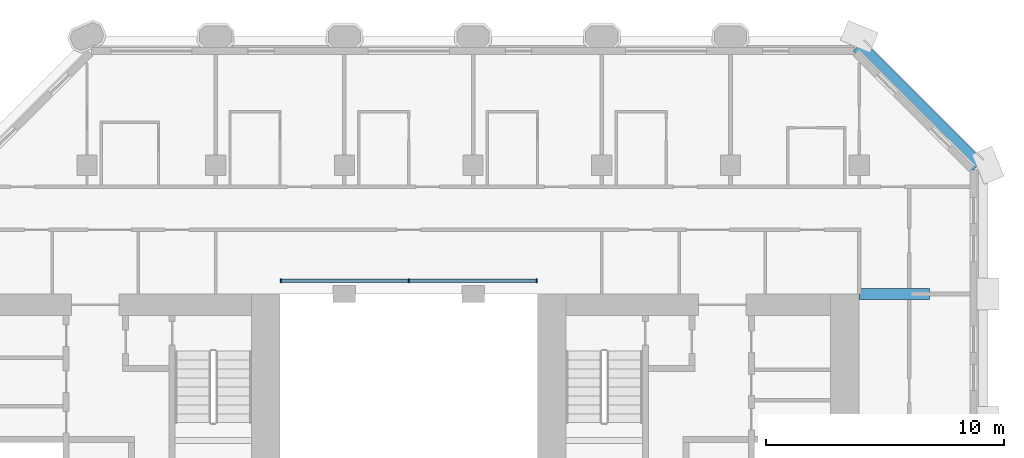
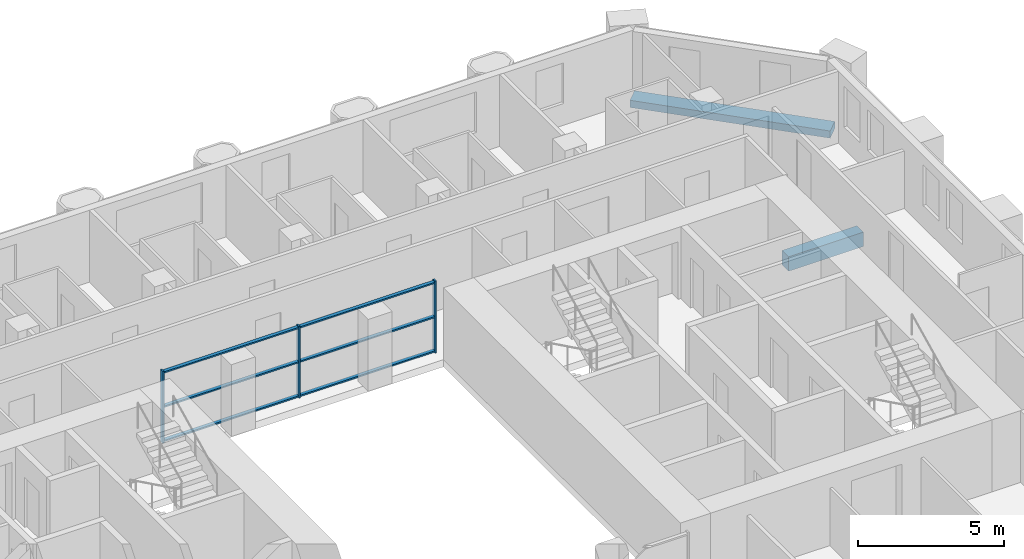
# One storey, part 6 of 16: 9 members, 2 beams, 1 element without a shape of its own.
"""IFC4 building model written with IfcOpenShell, lengths in metres."""

import ifcopenshell
import ifcopenshell.guid

model = None  # the IFC model being written
_history = None  # IfcOwnerHistory: only IFC2X3 demands one
_inside = {}  # id of a spatial element -> (the spatial element, [elements in it])
_under = {}  # id of a project, library or spatial element -> (it, [spatial elements below it])
_declared = {}  # id of a project -> (the project, [libraries it declares])
_typed = {}  # id of a type object -> (the type object, [elements of that type])
_made_of = {}  # id of a material, layer set ... -> (it, [elements and type objects made of it])


def new_model(schema):
    """Start an empty IFC model of exactly this schema.

    Asked for "IFC4X3", IfcOpenShell would pick the latest addendum, in which some entities
    have other attributes; the version numbers below select the first issue.
    IFC2X3 requires an IfcOwnerHistory on every rooted entity: one is made here for all.
    """
    global model, _history
    if schema == "IFC4X3":
        model = ifcopenshell.file(schema_version=(4, 3, 0, 0))
    else:
        model = ifcopenshell.file(schema=schema)
    _inside.clear()
    _under.clear()
    _declared.clear()
    _typed.clear()
    _made_of.clear()
    _history = None
    if model.schema == "IFC2X3":
        org = make("IfcOrganization", Name="unknown")
        user = make(
            "IfcPersonAndOrganization",
            ThePerson=make("IfcPerson", FamilyName="unknown"),
            TheOrganization=org,
        )
        app = make(
            "IfcApplication",
            ApplicationDeveloper=org,
            Version="unknown",
            ApplicationFullName="unknown",
            ApplicationIdentifier="unknown",
        )
        _history = make(
            "IfcOwnerHistory",
            OwningUser=user,
            OwningApplication=app,
            ChangeAction="ADDED",
            CreationDate=0,
        )
    return model


def make(cls, **values):
    """One entity of the class cls with the attributes given. An attribute that is None is left unset."""
    return model.create_entity(
        cls, **{name: value for name, value in values.items() if value is not None}
    )


def rooted(cls, **values):
    """An entity with a GlobalId (a new one), such as an element, a storey or a relation."""
    return make(cls, GlobalId=ifcopenshell.guid.new(), OwnerHistory=_history, **values)


def si_unit(unit_type, name, prefix=None):
    """IfcSIUnit, for example si_unit("LENGTHUNIT", "METRE", prefix="MILLI")."""
    return make("IfcSIUnit", UnitType=unit_type, Prefix=prefix, Name=name)


def assignment(units):
    """IfcUnitAssignment: the units of a project."""
    return None if units is None else make("IfcUnitAssignment", Units=units)


def point(xyz):
    """IfcCartesianPoint."""
    return None if xyz is None else make("IfcCartesianPoint", Coordinates=xyz)


def direction(xyz):
    """IfcDirection."""
    return None if xyz is None else make("IfcDirection", DirectionRatios=xyz)


def frame(location, z_axis=None, x_axis=None):
    """IfcAxis2Placement3D, a coordinate frame: its origin and axes. An axis left out is left unset."""
    return make(
        "IfcAxis2Placement3D",
        Location=point(location),
        Axis=direction(z_axis),
        RefDirection=direction(x_axis),
    )


def frame_2d(location, x_axis=None):
    """IfcAxis2Placement2D, a coordinate frame in the plane: its origin and x axis."""
    return make(
        "IfcAxis2Placement2D", Location=point(location), RefDirection=direction(x_axis)
    )


def origin():
    """The frame at (0, 0, 0) with its axes left unset."""
    return frame((0.0, 0.0, 0.0))


def origin_2d():
    """The frame at (0, 0) in the plane with its x axis left unset."""
    return frame_2d((0.0, 0.0))


def place(relative_to, where):
    """IfcLocalPlacement: puts the frame where relative to a parent placement (None: the world)."""
    return make(
        "IfcLocalPlacement", PlacementRelTo=relative_to, RelativePlacement=where
    )


def context(
    kind, dimensions, precision=None, world=None, true_north=None, identifier=None
):
    """IfcGeometricRepresentationContext, for example the 3D "Model" context."""
    return make(
        "IfcGeometricRepresentationContext",
        ContextIdentifier=identifier,
        ContextType=kind,
        CoordinateSpaceDimension=dimensions,
        Precision=precision,
        WorldCoordinateSystem=world,
        TrueNorth=true_north,
    )


def subcontext(parent, identifier, kind, view, scale=None):
    """IfcGeometricRepresentationSubContext, for example "Body" below "Model"."""
    return make(
        "IfcGeometricRepresentationSubContext",
        ContextIdentifier=identifier,
        ContextType=kind,
        ParentContext=parent,
        TargetScale=scale,
        TargetView=view,
    )


def project(units=None, contexts=None):
    """IfcProject with its units and contexts."""
    return rooted(
        "IfcProject",
        Name="project",
        RepresentationContexts=contexts,
        UnitsInContext=assignment(units),
    )


def spatial(cls, under=None, at=None, **own):
    """A site, building, storey or space (cls), placed at a placement, below another one or the project."""
    s = rooted(cls, ObjectPlacement=at, **own)
    if under is not None:
        _under.setdefault(under.id(), (under, []))[1].append(s)
    return s


def profile(cls, at=None, kind="AREA", **sizes):
    """A parametric profile (cls). Its sizes go by their IFC names, for example OverallWidth=200.0."""
    return make(cls, ProfileType=kind, Position=at, **sizes)


def rectangle(**sizes):
    """IfcRectangleProfileDef."""
    return profile("IfcRectangleProfileDef", **sizes)


def extrude(swept, where, along, depth):
    """IfcExtrudedAreaSolid: the profile swept, set in the frame where, extruded along a direction by depth."""
    return make(
        "IfcExtrudedAreaSolid",
        SweptArea=swept,
        Position=where,
        ExtrudedDirection=direction(along),
        Depth=depth,
    )


def shape(context_of_items, identifier, shape_type, items):
    """IfcShapeRepresentation: the items that make up one representation, for example the "Body"."""
    return make(
        "IfcShapeRepresentation",
        ContextOfItems=context_of_items,
        RepresentationIdentifier=identifier,
        RepresentationType=shape_type,
        Items=items,
    )


def material(Name=None, Category=None):
    """IfcMaterial."""
    return make("IfcMaterial", Name=Name, Category=Category)


def material_profile(
    of_material, cross_section, Name=None, Category=None, Priority=None
):
    """IfcMaterialProfile: a cross section and its material."""
    return make(
        "IfcMaterialProfile",
        Name=Name,
        Material=of_material,
        Profile=cross_section,
        Priority=Priority,
        Category=Category,
    )


def profile_set(profiles, Name=None, composite=None):
    """IfcMaterialProfileSet."""
    return make(
        "IfcMaterialProfileSet",
        Name=Name,
        MaterialProfiles=profiles,
        CompositeProfile=composite,
    )


def made_of(thing, what):
    """Note that an element or type object is made of a material, layer set ...; save() writes the relation."""
    if what is not None:
        _made_of.setdefault(what.id(), (what, []))[1].append(thing)
    return thing


def type_object(cls, material=None, **own):
    """A type object (cls), such as IfcWallType, which elements share."""
    return made_of(rooted(cls, **own), material)


def element(
    cls,
    number,
    at=None,
    inside=None,
    cuts=None,
    type_object=None,
    material=None,
    context=None,
    identifier="Body",
    shape_type=None,
    held_by="IfcProductDefinitionShape",
    body=None,
    shapes=None,
    **own,
):
    """One element of the class cls, such as IfcWall. Its Tag is "e" and its number.

    at: its placement. inside: the storey or other place that contains it. cuts: it is an
    opening in that element (IfcRelVoidsElement). A single representation is given by context,
    identifier, shape_type and body (its items); several are given by shapes. held_by: the class
    of the entity that holds the representations. save() writes the other relations.
    """
    e = rooted(cls, Tag="e%d" % number, ObjectPlacement=at, **own)
    if body is not None:
        shapes = [shape(context, identifier, shape_type, body)]
    if shapes is not None:
        e.Representation = make(held_by, Representations=shapes)
    if inside is not None:
        _inside.setdefault(inside.id(), (inside, []))[1].append(e)
    if cuts is not None:
        rooted(
            "IfcRelVoidsElement", RelatingBuildingElement=cuts, RelatedOpeningElement=e
        )
    if type_object is not None:
        _typed.setdefault(type_object.id(), (type_object, []))[1].append(e)
    return made_of(e, material)


def aggregate(whole, parts):
    """IfcRelAggregates: a whole, such as a stair, and the parts it consists of."""
    return rooted("IfcRelAggregates", RelatingObject=whole, RelatedObjects=parts)


def save(model, path):
    """Write the relations noted so far, then the file.

    IfcRelAggregates (storeys below a building ...), IfcRelContainedInSpatialStructure (elements
    in a storey), IfcRelDefinesByType, IfcRelAssociatesMaterial and IfcRelDeclares: one each for
    every whole, place, type object, material and project.
    """
    for whole, parts in _under.values():
        aggregate(whole, parts)
    for where, things in _inside.values():
        rooted(
            "IfcRelContainedInSpatialStructure",
            RelatedElements=things,
            RelatingStructure=where,
        )
    for kind, things in _typed.values():
        rooted("IfcRelDefinesByType", RelatedObjects=things, RelatingType=kind)
    for what, things in _made_of.values():
        rooted("IfcRelAssociatesMaterial", RelatedObjects=things, RelatingMaterial=what)
    for by, libraries in _declared.values():
        rooted("IfcRelDeclares", RelatingContext=by, RelatedDefinitions=libraries)
    model.write(path)


model = new_model("IFC4")

# Units and contexts
model_context = context("Model", 3, precision=1e-05, world=origin(), true_north=direction((0.0, 1.0)))
body_context = subcontext(model_context, "Body", "Model", "MODEL_VIEW")
ifc_project = project(units=[si_unit("LENGTHUNIT", "METRE"), si_unit("AREAUNIT", "SQUARE_METRE"), si_unit("VOLUMEUNIT", "CUBIC_METRE"), si_unit("PLANEANGLEUNIT", "RADIAN"), si_unit("MASSUNIT", "GRAM", prefix="KILO")], contexts=[model_context])

# Site, building, storey
site_placement = place(None, origin())
site = spatial("IfcSite", under=ifc_project, at=site_placement, CompositionType="ELEMENT")
building_placement = place(site_placement, origin())
building = spatial("IfcBuilding", under=site, at=building_placement, Name="Tabaq Tower and Sports Hall", CompositionType="ELEMENT")
storey_placement = place(building_placement, frame((0.0, 0.0, 156.10009765625)))
storey = spatial("IfcBuildingStorey", under=building, at=storey_placement, Name="L36", CompositionType="ELEMENT", Elevation=156.10009765625)

# Curtain wall, members
ifc_material_1 = material(Name="Aluminium alloy 6063-T6 framed glazing", Category="aluminium")
curtain_wall_type = type_object("IfcCurtainWallType", Name="CW1 curtain wall", PredefinedType="USERDEFINED", material=ifc_material_1)
curtain_wall_placement = place(storey_placement, origin())
curtain_wall = element("IfcCurtainWall", 1, at=curtain_wall_placement, inside=storey, type_object=curtain_wall_type, Name="Atrium glazing L36 N", ObjectType="ATRIUM ENCLOSURE", PredefinedType="USERDEFINED")
ifc_material_2 = material(Name="Aluminium alloy 6063-T6", Category="aluminium")
ifc_material_profile_1 = material_profile(ifc_material_2, rectangle(XDim=0.159912109375, YDim=0.06005859375, at=origin_2d()), Name="MULLION 160x60")
ifc_profile_set_1 = profile_set([ifc_material_profile_1], Name="Aluminium alloy 6063-T6")
member_type_1 = type_object("IfcMemberType", Name="CW1 mullion 160x60", PredefinedType="MULLION", material=ifc_profile_set_1)
member_1_placement = place(storey_placement, frame((18.929931640625, 32.949951171875, 0.0), z_axis=(0.0, 0.0, 1.0), x_axis=(0.0, 1.0, 0.0)))
member_1 = element("IfcMember", 2, at=member_1_placement, type_object=member_type_1, Name="CW1 mullion 1", PredefinedType="MULLION", context=body_context, shape_type="SweptSolid", body=[
    extrude(rectangle(XDim=0.159912109375, YDim=0.06005859375, at=origin_2d()), origin(), (0.0, 0.0, 1.0), 3.0),
])
member_2_placement = place(storey_placement, frame((24.300048828125, 32.949951171875, 0.0), z_axis=(0.0, 0.0, 1.0), x_axis=(0.0, 1.0, 0.0)))
member_2 = element("IfcMember", 3, at=member_2_placement, type_object=member_type_1, Name="CW1 mullion 2", PredefinedType="MULLION", context=body_context, shape_type="SweptSolid", body=[
    extrude(rectangle(XDim=0.159912109375, YDim=0.06005859375, at=origin_2d()), origin(), (0.0, 0.0, 1.0), 3.0),
])
member_3_placement = place(storey_placement, frame((29.669921875, 32.949951171875, 0.0), z_axis=(0.0, 0.0, 1.0), x_axis=(0.0, 1.0, 0.0)))
member_3 = element("IfcMember", 4, at=member_3_placement, type_object=member_type_1, Name="CW1 mullion 3", PredefinedType="MULLION", context=body_context, shape_type="SweptSolid", body=[
    extrude(rectangle(XDim=0.159912109375, YDim=0.06005859375, at=origin_2d()), origin(), (0.0, 0.0, 1.0), 3.0),
])
ifc_material_3 = material(Name="Aluminium alloy 6063-T6", Category="aluminium")
ifc_material_profile_2 = material_profile(ifc_material_3, rectangle(XDim=0.139892578125, YDim=0.06005859375, at=origin_2d()), Name="TRANSOM 140x60")
ifc_profile_set_2 = profile_set([ifc_material_profile_2], Name="Aluminium alloy 6063-T6")
member_type_2 = type_object("IfcMemberType", Name="CW1 transom 140x60", PredefinedType="USERDEFINED", material=ifc_profile_set_2)
member_4_placement = place(storey_placement, frame((18.9599609375, 32.949951171875, 0.06982421875), z_axis=(1.0, 0.0, 0.0), x_axis=(0.0, 1.0, 0.0)))
member_4 = element("IfcMember", 5, at=member_4_placement, type_object=member_type_2, Name="CW1 transom 1.1", ObjectType="TRANSOM", PredefinedType="USERDEFINED", context=body_context, shape_type="SweptSolid", body=[
    extrude(rectangle(XDim=0.139892578125, YDim=0.06005859375, at=origin_2d()), origin(), (0.0, 0.0, 1.0), 5.31005859375),
])
member_5_placement = place(storey_placement, frame((18.9599609375, 32.949951171875, 1.5), z_axis=(1.0, 0.0, 0.0), x_axis=(0.0, 1.0, 0.0)))
member_5 = element("IfcMember", 6, at=member_5_placement, type_object=member_type_2, Name="CW1 transom 1.2", ObjectType="TRANSOM", PredefinedType="USERDEFINED", context=body_context, shape_type="SweptSolid", body=[
    extrude(rectangle(XDim=0.139892578125, YDim=0.06005859375, at=origin_2d()), origin(), (0.0, 0.0, 1.0), 5.31005859375),
])
member_6_placement = place(storey_placement, frame((18.9599609375, 32.949951171875, 2.929931640625), z_axis=(1.0, 0.0, 0.0), x_axis=(0.0, 1.0, 0.0)))
member_6 = element("IfcMember", 7, at=member_6_placement, type_object=member_type_2, Name="CW1 transom 1.3", ObjectType="TRANSOM", PredefinedType="USERDEFINED", context=body_context, shape_type="SweptSolid", body=[
    extrude(rectangle(XDim=0.139892578125, YDim=0.06005859375, at=origin_2d()), origin(), (0.0, 0.0, 1.0), 5.31005859375),
])
member_7_placement = place(storey_placement, frame((24.330078125, 32.949951171875, 0.06982421875), z_axis=(1.0, 0.0, 0.0), x_axis=(0.0, 1.0, 0.0)))
member_7 = element("IfcMember", 8, at=member_7_placement, type_object=member_type_2, Name="CW1 transom 2.1", ObjectType="TRANSOM", PredefinedType="USERDEFINED", context=body_context, shape_type="SweptSolid", body=[
    extrude(rectangle(XDim=0.139892578125, YDim=0.06005859375, at=origin_2d()), origin(), (0.0, 0.0, 1.0), 5.309814453125),
])
member_8_placement = place(storey_placement, frame((24.330078125, 32.949951171875, 1.5), z_axis=(1.0, 0.0, 0.0), x_axis=(0.0, 1.0, 0.0)))
member_8 = element("IfcMember", 9, at=member_8_placement, type_object=member_type_2, Name="CW1 transom 2.2", ObjectType="TRANSOM", PredefinedType="USERDEFINED", context=body_context, shape_type="SweptSolid", body=[
    extrude(rectangle(XDim=0.139892578125, YDim=0.06005859375, at=origin_2d()), origin(), (0.0, 0.0, 1.0), 5.309814453125),
])
member_9_placement = place(storey_placement, frame((24.330078125, 32.949951171875, 2.929931640625), z_axis=(1.0, 0.0, 0.0), x_axis=(0.0, 1.0, 0.0)))
member_9 = element("IfcMember", 10, at=member_9_placement, type_object=member_type_2, Name="CW1 transom 2.3", ObjectType="TRANSOM", PredefinedType="USERDEFINED", context=body_context, shape_type="SweptSolid", body=[
    extrude(rectangle(XDim=0.139892578125, YDim=0.06005859375, at=origin_2d()), origin(), (0.0, 0.0, 1.0), 5.309814453125),
])
aggregate(curtain_wall, [member_1, member_2, member_3, member_4, member_5, member_6, member_7, member_8, member_9])

# Beams
ifc_material_4 = material(Name="Concrete C40/50", Category="concrete")
ifc_material_profile_3 = material_profile(ifc_material_4, rectangle(XDim=0.449951171875, YDim=0.60009765625, at=origin_2d()), Name="CB 450x600")
ifc_profile_set_3 = profile_set([ifc_material_profile_3], Name="Concrete C40/50")
beam_type_1 = type_object("IfcBeamType", Name="PT CANTILEVER BEAM CB 450x600 C40/50", PredefinedType="BEAM", material=ifc_profile_set_3)
beam_1_placement = place(storey_placement, frame((46.14990234375, 32.39990234375, -0.60009765625), z_axis=(-1.0, 0.0, 0.0), x_axis=(0.0, -1.0, 0.0)))
element("IfcBeam", 11, at=beam_1_placement, inside=storey, type_object=beam_type_1, Name="Cantilever Beam L36 E6 span 1", PredefinedType="BEAM", context=body_context, shape_type="SweptSolid", body=[
    extrude(rectangle(XDim=0.449951171875, YDim=0.60009765625, at=origin_2d()), origin(), (0.0, 0.0, 1.0), 2.949951171875),
])
ifc_material_5 = material(Name="Concrete C40/50", Category="concrete")
ifc_material_profile_4 = material_profile(ifc_material_5, rectangle(XDim=0.60009765625, YDim=0.300048828125, at=origin_2d()), Name="EB 600x300")
ifc_profile_set_4 = profile_set([ifc_material_profile_4], Name="Concrete C40/50")
beam_type_2 = type_object("IfcBeamType", Name="PT EDGE BEAM EB 600x300 C40/50", PredefinedType="SPANDREL", material=ifc_profile_set_4)
beam_2_placement = place(storey_placement, frame((48.1767578125, 37.799072265625, -0.150146484375), z_axis=(-0.707124002701, 0.707089559252, 0.0), x_axis=(-0.707089559252, -0.707124002701, 0.0)))
element("IfcBeam", 12, at=beam_2_placement, inside=storey, type_object=beam_type_2, Name="Edge Beam L36 4", PredefinedType="SPANDREL", context=body_context, shape_type="SweptSolid", body=[
    extrude(rectangle(XDim=0.60009765625, YDim=0.300048828125, at=origin_2d()), origin(), (0.0, 0.0, 1.0), 7.088134765625),
])

save(model, "model.ifc")
